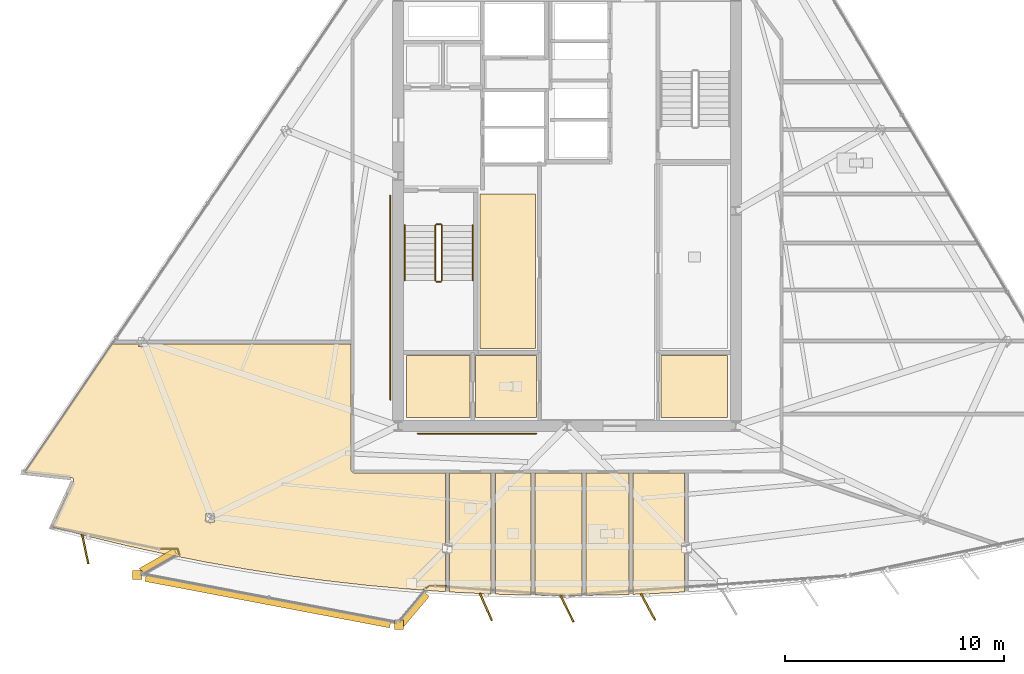
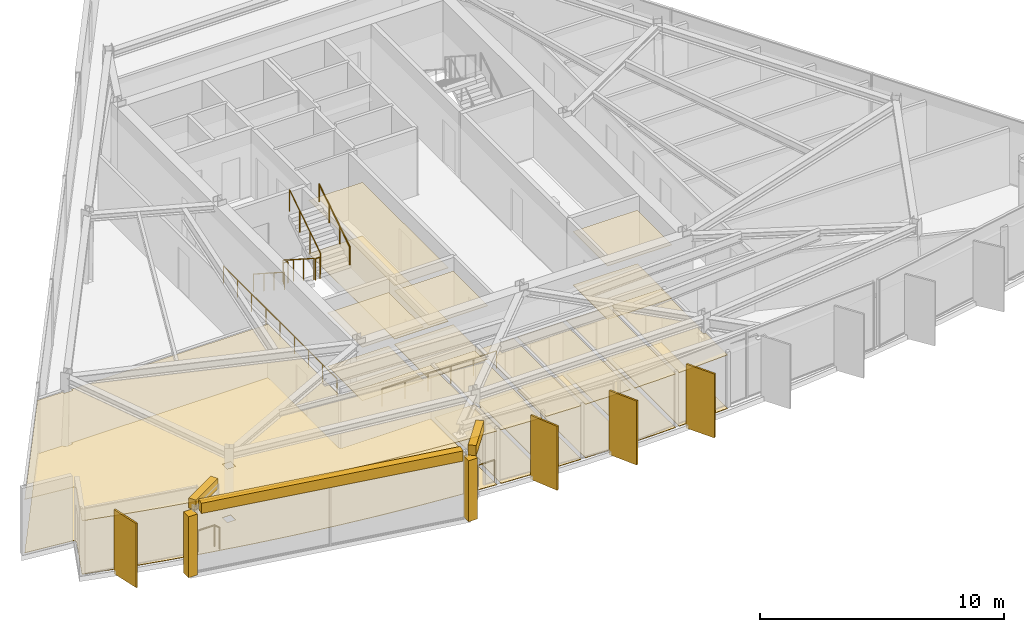
# One storey, part 10 of 14: 25 coverings, 10 railings, 4 shading devices.
"""IFC4 building model written with IfcOpenShell, lengths in metres."""

from ifc_helpers import new_model, si_unit, direction, frame, origin, origin_2d, place, context, subcontext, project, spatial, polyline, rectangle, circle, outline, extrude, material, layer, layer_set, type_object, element, save


model = new_model("IFC4")

# Units and contexts
model_context = context("Model", 3, precision=1e-05, world=origin(), true_north=direction((0.0, 1.0)))
body_context = subcontext(model_context, "Body", "Model", "MODEL_VIEW")
ifc_project = project(units=[si_unit("LENGTHUNIT", "METRE"), si_unit("AREAUNIT", "SQUARE_METRE"), si_unit("VOLUMEUNIT", "CUBIC_METRE"), si_unit("PLANEANGLEUNIT", "RADIAN"), si_unit("MASSUNIT", "GRAM", prefix="KILO")], contexts=[model_context])

# Site, building, storey
site_placement = place(None, origin())
site = spatial("IfcSite", under=ifc_project, at=site_placement, CompositionType="ELEMENT")
building_placement = place(site_placement, origin())
building = spatial("IfcBuilding", under=site, at=building_placement, Name="Savorim Split Tower", CompositionType="ELEMENT")
storey_placement = place(building_placement, frame((0.0, 0.0, 230.699951171875)))
storey = spatial("IfcBuildingStorey", under=building, at=storey_placement, Name="L61", CompositionType="ELEMENT", Elevation=230.699951171875)

# Coverings
ifc_material_1 = material(Name="Mineral Fibre Acoustic Ceiling")
ifc_layer_1 = layer(ifc_material_1, 0.02490234375)
ifc_layer_set_1 = layer_set([ifc_layer_1], Name="COV-CEIL-25")
covering_type_1 = type_object("IfcCoveringType", Name="COV-CEIL-25", PredefinedType="CEILING", material=ifc_layer_set_1)
covering_1_placement = place(storey_placement, frame((0.0, 0.0, 2.670166015625)))
element("IfcCovering", 1, at=covering_1_placement, inside=storey, type_object=covering_type_1, Name="L61 Quiet Study Room Acoustic Ceiling", PredefinedType="CEILING", context=body_context, shape_type="SweptSolid", body=[
    extrude(outline(polyline([(-3.969970703125, 1.169921875), (-3.969970703125, -5.8701171875), (-1.429931640625, -5.8701171875), (-1.429931640625, 1.169921875), (-3.969970703125, 1.169921875)])), origin(), (0.0, 0.0, 1.0), 0.02490234375),
])
covering_2_placement = place(storey_placement, frame((0.0, 0.0, 2.670166015625)))
element("IfcCovering", 2, at=covering_2_placement, inside=storey, type_object=covering_type_1, Name="L61 Housekeeping Store Acoustic Ceiling", PredefinedType="CEILING", context=body_context, shape_type="SweptSolid", body=[
    extrude(outline(polyline([(-7.320068359375, -6.179931640625), (-7.320068359375, -9.02001953125), (-4.429931640625, -9.02001953125), (-4.429931640625, -6.179931640625), (-7.320068359375, -6.179931640625)])), origin(), (0.0, 0.0, 1.0), 0.02490234375),
])
covering_3_placement = place(storey_placement, frame((0.0, 0.0, 2.670166015625)))
element("IfcCovering", 3, at=covering_3_placement, inside=storey, type_object=covering_type_1, Name="L61 Accessible WC Acoustic Ceiling", PredefinedType="CEILING", context=body_context, shape_type="SweptSolid", body=[
    extrude(outline(polyline([(-4.169921875, -6.179931640625), (-4.169921875, -9.02001953125), (-1.3798828125, -9.02001953125), (-1.3798828125, -6.179931640625), (-4.169921875, -6.179931640625)])), origin(), (0.0, 0.0, 1.0), 0.02490234375),
])
covering_4_placement = place(storey_placement, frame((0.0, 0.0, 2.670166015625)))
element("IfcCovering", 4, at=covering_4_placement, inside=storey, type_object=covering_type_1, Name="L61 Core IT Server Room Acoustic Ceiling", PredefinedType="CEILING", context=body_context, shape_type="SweptSolid", body=[
    extrude(outline(polyline([(4.280029296875, -6.179931640625), (4.280029296875, -9.02001953125), (7.320068359375, -9.02001953125), (7.320068359375, -6.179931640625), (4.280029296875, -6.179931640625)])), origin(), (0.0, 0.0, 1.0), 0.02490234375),
])
covering_5_placement = place(storey_placement, frame((0.0, 0.0, 2.670166015625)))
element("IfcCovering", 5, at=covering_5_placement, inside=storey, type_object=covering_type_1, Name="L61 Co-Working Commons Acoustic Ceiling", PredefinedType="CEILING", context=body_context, shape_type="SweptSolid", body=[
    extrude(outline(polyline([(-22.49072265625, -11.86669921875), (-22.490478515625, -11.878662109375), (-22.491455078125, -11.890625), (-22.49365234375, -11.90234375), (-22.496826171875, -11.913818359375), (-22.50146484375, -11.9248046875), (-23.4599609375, -14.01123046875), (-21.8203125, -14.440185546875), (-20.0341796875, -14.868408203125), (-18.23974609375, -15.260009765625), (-16.4375, -15.61474609375), (-14.62841796875, -15.9326171875), (-12.8134765625, -16.21337890625), (-10.992919921875, -16.45703125), (-9.167724609375, -16.663330078125), (-7.3388671875, -16.832275390625), (-5.54541015625, -16.9609375), (-5.54541015625, -15.177734375), (-5.6474609375, -15.177734375), (-5.6474609375, -14.785888671875), (-5.54541015625, -14.785888671875), (-5.54541015625, -11.5400390625), (-9.699951171875, -11.5400390625), (-9.713623046875, -11.539306640625), (-9.727294921875, -11.537353515625), (-9.740478515625, -11.533935546875), (-9.753662109375, -11.529296875), (-9.76611328125, -11.5234375), (-9.77783203125, -11.516357421875), (-9.788818359375, -11.50830078125), (-9.799072265625, -11.4990234375), (-9.80810546875, -11.48876953125), (-9.81640625, -11.477783203125), (-9.823486328125, -11.466064453125), (-9.829345703125, -11.45361328125), (-9.833984375, -11.440673828125), (-9.83740234375, -11.42724609375), (-9.83935546875, -11.413818359375), (-9.840087890625, -11.39990234375), (-9.840087890625, -5.668701171875), (-19.1435546875, -5.668701171875), (-19.1435546875, -5.769775390625), (-19.53759765625, -5.769775390625), (-19.53759765625, -5.668701171875), (-20.6240234375, -5.668701171875), (-20.718994140625, -5.668701171875), (-20.718994140625, -5.62451171875), (-24.72802734375, -11.517578125), (-22.59716796875, -11.755615234375), (-22.585205078125, -11.757568359375), (-22.57373046875, -11.760498046875), (-22.5625, -11.7646484375), (-22.552001953125, -11.77001953125), (-22.541748046875, -11.7763671875), (-22.5322265625, -11.78369140625), (-22.523681640625, -11.7919921875), (-22.515869140625, -11.80078125), (-22.509033203125, -11.810546875), (-22.503173828125, -11.821044921875), (-22.498291015625, -11.831787109375), (-22.49462890625, -11.84326171875), (-22.4921875, -11.85498046875), (-22.49072265625, -11.86669921875)]), holes=[polyline([(-16.4599609375, -13.78955078125), (-16.06591796875, -13.78955078125), (-16.06591796875, -13.397705078125), (-16.4599609375, -13.397705078125), (-16.4599609375, -13.78955078125)])]), origin(), (0.0, 0.0, 1.0), 0.02490234375),
])
covering_6_placement = place(storey_placement, frame((0.0, 0.0, 2.670166015625)))
element("IfcCovering", 6, at=covering_6_placement, inside=storey, type_object=covering_type_1, Name="L61 Shared Kitchen Acoustic Ceiling", PredefinedType="CEILING", context=body_context, shape_type="SweptSolid", body=[
    extrude(outline(polyline([(-5.35546875, -16.91650390625), (-5.35546875, -16.971435546875), (-3.672607421875, -17.0576171875), (-3.458984375, -17.064208984375), (-3.458984375, -11.5400390625), (-5.35546875, -11.5400390625), (-5.35546875, -14.785888671875), (-5.25341796875, -14.785888671875), (-5.25341796875, -15.177734375), (-5.35546875, -15.177734375), (-5.35546875, -16.91650390625)])), origin(), (0.0, 0.0, 1.0), 0.02490234375),
])
covering_7_placement = place(storey_placement, frame((0.0, 0.0, 2.670166015625)))
element("IfcCovering", 7, at=covering_7_placement, inside=storey, type_object=covering_type_1, Name="L61 Shared Kitchen Acoustic Ceiling", PredefinedType="CEILING", context=body_context, shape_type="SweptSolid", body=[
    extrude(outline(polyline([(-3.26904296875, -11.5400390625), (-3.26904296875, -17.070068359375), (-1.836669921875, -17.114013671875), (-1.642822265625, -17.115966796875), (-1.642578125, -11.5400390625), (-3.26904296875, -11.5400390625)])), origin(), (0.0, 0.0, 1.0), 0.02490234375),
])
covering_8_placement = place(storey_placement, frame((0.0, 0.0, 2.670166015625)))
element("IfcCovering", 8, at=covering_8_placement, inside=storey, type_object=covering_type_1, Name="L61 Quiet Study Room Acoustic Ceiling", PredefinedType="CEILING", context=body_context, shape_type="SweptSolid", body=[
    extrude(outline(polyline([(-1.45263671875, -11.5400390625), (-1.452880859375, -17.117919921875), (0.0, -17.1328125), (0.68994140625, -17.125732421875), (0.68994140625, -11.5400390625), (-1.45263671875, -11.5400390625)])), origin(), (0.0, 0.0, 1.0), 0.02490234375),
])
covering_9_placement = place(storey_placement, frame((0.0, 0.0, 2.670166015625)))
element("IfcCovering", 9, at=covering_9_placement, inside=storey, type_object=covering_type_1, Name="L61 Shared Bathroom Acoustic Ceiling", PredefinedType="CEILING", context=body_context, shape_type="SweptSolid", body=[
    extrude(outline(polyline([(0.8798828125, -11.5400390625), (0.8798828125, -17.123779296875), (1.836669921875, -17.114013671875), (2.82763671875, -17.08349609375), (2.827880859375, -11.5400390625), (0.8798828125, -11.5400390625)])), origin(), (0.0, 0.0, 1.0), 0.02490234375),
])
covering_10_placement = place(storey_placement, frame((0.0, 0.0, 2.670166015625)))
element("IfcCovering", 10, at=covering_10_placement, inside=storey, type_object=covering_type_1, Name="L61 Co-Living Bedroom Acoustic Ceiling", PredefinedType="CEILING", context=body_context, shape_type="SweptSolid", body=[
    extrude(outline(polyline([(5.35546875, -11.5400390625), (3.017822265625, -11.5400390625), (3.017578125, -17.07763671875), (3.672607421875, -17.0576171875), (5.35546875, -16.971435546875), (5.35546875, -15.177734375), (5.25341796875, -15.177734375), (5.25341796875, -14.785888671875), (5.35546875, -14.785888671875), (5.35546875, -11.5400390625)])), origin(), (0.0, 0.0, 1.0), 0.02490234375),
])
ifc_material_2 = material(Name="Porcelain Stoneware Flooring", Category="masonry")
ifc_layer_2 = layer(ifc_material_2, 0.02001953125)
ifc_layer_set_2 = layer_set([ifc_layer_2], Name="COV-FLOR-20")
covering_type_2 = type_object("IfcCoveringType", Name="COV-FLOR-20", PredefinedType="FLOORING", material=ifc_layer_set_2)
covering_11_placement = place(storey_placement, origin())
element("IfcCovering", 11, at=covering_11_placement, inside=storey, type_object=covering_type_2, Name="L61 Quiet Study Room Porcelain Flooring", PredefinedType="FLOORING", context=body_context, shape_type="SweptSolid", body=[
    extrude(outline(polyline([(-3.969970703125, 1.169921875), (-3.969970703125, -5.8701171875), (-1.429931640625, -5.8701171875), (-1.429931640625, 1.169921875), (-3.969970703125, 1.169921875)])), origin(), (0.0, 0.0, 1.0), 0.02001953125),
])
covering_12_placement = place(storey_placement, origin())
element("IfcCovering", 12, at=covering_12_placement, inside=storey, type_object=covering_type_2, Name="L61 Housekeeping Store Porcelain Flooring", PredefinedType="FLOORING", context=body_context, shape_type="SweptSolid", body=[
    extrude(outline(polyline([(-7.320068359375, -6.179931640625), (-7.320068359375, -9.02001953125), (-4.429931640625, -9.02001953125), (-4.429931640625, -6.179931640625), (-7.320068359375, -6.179931640625)])), origin(), (0.0, 0.0, 1.0), 0.02001953125),
])
covering_13_placement = place(storey_placement, origin())
element("IfcCovering", 13, at=covering_13_placement, inside=storey, type_object=covering_type_2, Name="L61 Accessible WC Porcelain Flooring", PredefinedType="FLOORING", context=body_context, shape_type="SweptSolid", body=[
    extrude(outline(polyline([(-4.169921875, -6.179931640625), (-4.169921875, -9.02001953125), (-1.3798828125, -9.02001953125), (-1.3798828125, -6.179931640625), (-4.169921875, -6.179931640625)])), origin(), (0.0, 0.0, 1.0), 0.02001953125),
])
covering_14_placement = place(storey_placement, origin())
element("IfcCovering", 14, at=covering_14_placement, inside=storey, type_object=covering_type_2, Name="L61 Core IT Server Room Porcelain Flooring", PredefinedType="FLOORING", context=body_context, shape_type="SweptSolid", body=[
    extrude(outline(polyline([(4.280029296875, -6.179931640625), (4.280029296875, -9.02001953125), (7.320068359375, -9.02001953125), (7.320068359375, -6.179931640625), (4.280029296875, -6.179931640625)])), origin(), (0.0, 0.0, 1.0), 0.02001953125),
])
covering_15_placement = place(storey_placement, origin())
element("IfcCovering", 15, at=covering_15_placement, inside=storey, type_object=covering_type_2, Name="L61 Co-Working Commons Porcelain Flooring", PredefinedType="FLOORING", context=body_context, shape_type="SweptSolid", body=[
    extrude(outline(polyline([(-22.49072265625, -11.86669921875), (-22.490478515625, -11.878662109375), (-22.491455078125, -11.890625), (-22.49365234375, -11.90234375), (-22.496826171875, -11.913818359375), (-22.50146484375, -11.9248046875), (-23.4599609375, -14.01123046875), (-21.8203125, -14.440185546875), (-20.0341796875, -14.868408203125), (-18.23974609375, -15.260009765625), (-16.4375, -15.61474609375), (-14.62841796875, -15.9326171875), (-12.8134765625, -16.21337890625), (-10.992919921875, -16.45703125), (-9.167724609375, -16.663330078125), (-7.3388671875, -16.832275390625), (-5.54541015625, -16.9609375), (-5.54541015625, -15.177734375), (-5.6474609375, -15.177734375), (-5.6474609375, -14.785888671875), (-5.54541015625, -14.785888671875), (-5.54541015625, -11.5400390625), (-9.699951171875, -11.5400390625), (-9.713623046875, -11.539306640625), (-9.727294921875, -11.537353515625), (-9.740478515625, -11.533935546875), (-9.753662109375, -11.529296875), (-9.76611328125, -11.5234375), (-9.77783203125, -11.516357421875), (-9.788818359375, -11.50830078125), (-9.799072265625, -11.4990234375), (-9.80810546875, -11.48876953125), (-9.81640625, -11.477783203125), (-9.823486328125, -11.466064453125), (-9.829345703125, -11.45361328125), (-9.833984375, -11.440673828125), (-9.83740234375, -11.42724609375), (-9.83935546875, -11.413818359375), (-9.840087890625, -11.39990234375), (-9.840087890625, -5.668701171875), (-19.1435546875, -5.668701171875), (-19.1435546875, -5.769775390625), (-19.53759765625, -5.769775390625), (-19.53759765625, -5.668701171875), (-20.6240234375, -5.668701171875), (-20.718994140625, -5.668701171875), (-20.718994140625, -5.62451171875), (-24.72802734375, -11.517578125), (-22.59716796875, -11.755615234375), (-22.585205078125, -11.757568359375), (-22.57373046875, -11.760498046875), (-22.5625, -11.7646484375), (-22.552001953125, -11.77001953125), (-22.541748046875, -11.7763671875), (-22.5322265625, -11.78369140625), (-22.523681640625, -11.7919921875), (-22.515869140625, -11.80078125), (-22.509033203125, -11.810546875), (-22.503173828125, -11.821044921875), (-22.498291015625, -11.831787109375), (-22.49462890625, -11.84326171875), (-22.4921875, -11.85498046875), (-22.49072265625, -11.86669921875)]), holes=[polyline([(-16.4599609375, -13.78955078125), (-16.06591796875, -13.78955078125), (-16.06591796875, -13.397705078125), (-16.4599609375, -13.397705078125), (-16.4599609375, -13.78955078125)])]), origin(), (0.0, 0.0, 1.0), 0.02001953125),
])
covering_16_placement = place(storey_placement, origin())
element("IfcCovering", 16, at=covering_16_placement, inside=storey, type_object=covering_type_2, Name="L61 Shared Kitchen Porcelain Flooring", PredefinedType="FLOORING", context=body_context, shape_type="SweptSolid", body=[
    extrude(outline(polyline([(-5.35546875, -16.91650390625), (-5.35546875, -16.971435546875), (-3.672607421875, -17.0576171875), (-3.458984375, -17.064208984375), (-3.458984375, -11.5400390625), (-5.35546875, -11.5400390625), (-5.35546875, -14.785888671875), (-5.25341796875, -14.785888671875), (-5.25341796875, -15.177734375), (-5.35546875, -15.177734375), (-5.35546875, -16.91650390625)])), origin(), (0.0, 0.0, 1.0), 0.02001953125),
])
covering_17_placement = place(storey_placement, origin())
element("IfcCovering", 17, at=covering_17_placement, inside=storey, type_object=covering_type_2, Name="L61 Shared Kitchen Porcelain Flooring", PredefinedType="FLOORING", context=body_context, shape_type="SweptSolid", body=[
    extrude(outline(polyline([(-3.26904296875, -11.5400390625), (-3.26904296875, -17.070068359375), (-1.836669921875, -17.114013671875), (-1.642822265625, -17.115966796875), (-1.642578125, -11.5400390625), (-3.26904296875, -11.5400390625)])), origin(), (0.0, 0.0, 1.0), 0.02001953125),
])
covering_18_placement = place(storey_placement, origin())
element("IfcCovering", 18, at=covering_18_placement, inside=storey, type_object=covering_type_2, Name="L61 Quiet Study Room Porcelain Flooring", PredefinedType="FLOORING", context=body_context, shape_type="SweptSolid", body=[
    extrude(outline(polyline([(-1.45263671875, -11.5400390625), (-1.452880859375, -17.117919921875), (0.0, -17.1328125), (0.68994140625, -17.125732421875), (0.68994140625, -11.5400390625), (-1.45263671875, -11.5400390625)])), origin(), (0.0, 0.0, 1.0), 0.02001953125),
])
covering_19_placement = place(storey_placement, origin())
element("IfcCovering", 19, at=covering_19_placement, inside=storey, type_object=covering_type_2, Name="L61 Shared Bathroom Porcelain Flooring", PredefinedType="FLOORING", context=body_context, shape_type="SweptSolid", body=[
    extrude(outline(polyline([(0.8798828125, -11.5400390625), (0.8798828125, -17.123779296875), (1.836669921875, -17.114013671875), (2.82763671875, -17.08349609375), (2.827880859375, -11.5400390625), (0.8798828125, -11.5400390625)])), origin(), (0.0, 0.0, 1.0), 0.02001953125),
])
covering_20_placement = place(storey_placement, origin())
element("IfcCovering", 20, at=covering_20_placement, inside=storey, type_object=covering_type_2, Name="L61 Co-Living Bedroom Porcelain Flooring", PredefinedType="FLOORING", context=body_context, shape_type="SweptSolid", body=[
    extrude(outline(polyline([(5.35546875, -11.5400390625), (3.017822265625, -11.5400390625), (3.017578125, -17.07763671875), (3.672607421875, -17.0576171875), (5.35546875, -16.971435546875), (5.35546875, -15.177734375), (5.25341796875, -15.177734375), (5.25341796875, -14.785888671875), (5.35546875, -14.785888671875), (5.35546875, -11.5400390625)])), origin(), (0.0, 0.0, 1.0), 0.02001953125),
])
ifc_material_3 = material(Name="White Porcelain Architectural Cladding")
ifc_layer_3 = layer(ifc_material_3, 0.139892578125)
ifc_layer_set_3 = layer_set([ifc_layer_3], Name="COV-FRM-WHITE")
covering_type_3 = type_object("IfcCoveringType", Name="COV-FRM-WHITE", PredefinedType="CLADDING", material=ifc_layer_set_3)
covering_21_placement = place(storey_placement, frame((0.0, 0.0, 3.080078125)))
element("IfcCovering", 21, at=covering_21_placement, inside=storey, type_object=covering_type_3, Name="L61 Cantilevered Lounge White Upper Cornice Band W", PredefinedType="CLADDING", context=body_context, shape_type="SweptSolid", body=[
    extrude(outline(polyline([(-17.9326171875, -14.99658203125), (-19.4951171875, -15.89013671875), (-19.326416015625, -16.185302734375), (-17.763671875, -15.2919921875), (-17.9326171875, -14.99658203125)])), origin(), (0.0, 0.0, 1.0), 0.510009765625),
])
covering_22_placement = place(storey_placement, frame((0.0, 0.0, 3.080078125)))
element("IfcCovering", 22, at=covering_22_placement, inside=storey, type_object=covering_type_3, Name="L61 Cantilevered Lounge White Upper Cornice Band F", PredefinedType="CLADDING", context=body_context, shape_type="SweptSolid", body=[
    extrude(outline(polyline([(-19.2421875, -16.490966796875), (-8.088134765625, -18.609130859375), (-8.024658203125, -18.275146484375), (-19.178955078125, -16.156982421875), (-19.2421875, -16.490966796875)])), origin(), (0.0, 0.0, 1.0), 0.510009765625),
])
covering_23_placement = place(storey_placement, frame((0.0, 0.0, 3.080078125)))
element("IfcCovering", 23, at=covering_23_placement, inside=storey, type_object=covering_type_3, Name="L61 Cantilevered Lounge White Upper Cornice Band E", PredefinedType="CLADDING", context=body_context, shape_type="SweptSolid", body=[
    extrude(outline(polyline([(-7.434326171875, -18.54833984375), (-6.273193359375, -17.1728515625), (-6.533203125, -16.95361328125), (-7.694091796875, -18.3291015625), (-7.434326171875, -18.54833984375)])), origin(), (0.0, 0.0, 1.0), 0.510009765625),
])
covering_24_placement = place(storey_placement, frame((0.0, 0.0, 0.010009765625)))
element("IfcCovering", 24, at=covering_24_placement, inside=storey, type_object=covering_type_3, Name="L61 Cantilevered Lounge White Frame Corner Post 1", PredefinedType="CLADDING", context=body_context, shape_type="SweptSolid", body=[
    extrude(outline(polyline([(-19.80419921875, -16.41015625), (-19.38427734375, -16.41015625), (-19.38427734375, -15.990234375), (-19.80419921875, -15.990234375), (-19.80419921875, -16.41015625)])), origin(), (0.0, 0.0, 1.0), 3.050048828125),
])
covering_25_placement = place(storey_placement, frame((0.0, 0.0, 0.010009765625)))
element("IfcCovering", 25, at=covering_25_placement, inside=storey, type_object=covering_type_3, Name="L61 Cantilevered Lounge White Frame Corner Post 2", PredefinedType="CLADDING", context=body_context, shape_type="SweptSolid", body=[
    extrude(outline(polyline([(-7.864013671875, -18.677490234375), (-7.444091796875, -18.677490234375), (-7.444091796875, -18.257568359375), (-7.864013671875, -18.257568359375), (-7.864013671875, -18.677490234375)])), origin(), (0.0, 0.0, 1.0), 3.050048828125),
])

# Railings
ifc_material_4 = material(Name="Galvanised Painted Steel Balustrade", Category="steel")
railing_type_1 = type_object("IfcRailingType", Name="RLG-BAL-1100", PredefinedType="BALUSTRADE", material=ifc_material_4)
railing_1_placement = place(storey_placement, frame((-18.53369140625, -14.998046875, 0.0)))
element("IfcRailing", 26, at=railing_1_placement, inside=storey, type_object=railing_type_1, Name="L61 Cantilevered Lounge West Edge Closure Guard", PredefinedType="BALUSTRADE", context=body_context, shape_type="SweptSolid", body=[
    extrude(circle(Radius=0.02392578125, at=origin_2d()), frame((0.0, 0.0, 1.076171875), z_axis=(1.0, 0.0, 0.0), x_axis=(0.0, 1.0, 0.0)), (0.0, 0.0, 1.0), 0.77978515625),
    extrude(circle(Radius=0.02392578125, at=origin_2d()), frame((0.77978515625, 0.0, 1.076171875), z_axis=(0.279087790974, -0.960265590829, 0.0), x_axis=(0.960265590829, 0.279087790974, 0.0)), (0.0, 0.0, 1.0), 0.287841796875),
    extrude(circle(Radius=0.02099609375, at=origin_2d()), origin(), (0.0, 0.0, 1.0), 1.052001953125),
    extrude(circle(Radius=0.02099609375, at=origin_2d()), frame((0.77978515625, 0.0, 0.0)), (0.0, 0.0, 1.0), 1.052001953125),
    extrude(circle(Radius=0.02099609375, at=origin_2d()), frame((0.860107421875, -0.2763671875, 0.0)), (0.0, 0.0, 1.0), 1.052001953125),
])
railing_2_placement = place(storey_placement, frame((-6.5146484375, -16.843994140625, 0.0)))
element("IfcRailing", 27, at=railing_2_placement, inside=storey, type_object=railing_type_1, Name="L61 Cantilevered Lounge East Edge Closure Guard", PredefinedType="BALUSTRADE", context=body_context, shape_type="SweptSolid", body=[
    extrude(circle(Radius=0.02392578125, at=origin_2d()), frame((0.0, 0.0, 1.076171875), z_axis=(0.841354039669, 0.540484393792, 0.0), x_axis=(-0.540484393792, 0.841354039669, 0.0)), (0.0, 0.0, 1.0), 0.27099609375),
    extrude(circle(Radius=0.02392578125, at=origin_2d()), frame((0.22802734375, 0.146484375, 1.076171875), z_axis=(1.0, 0.0, 0.0), x_axis=(0.0, 1.0, 0.0)), (0.0, 0.0, 1.0), 0.780029296875),
    extrude(circle(Radius=0.02099609375, at=origin_2d()), origin(), (0.0, 0.0, 1.0), 1.052001953125),
    extrude(circle(Radius=0.02099609375, at=origin_2d()), frame((0.22802734375, 0.146484375, 0.0)), (0.0, 0.0, 1.0), 1.052001953125),
    extrude(circle(Radius=0.02099609375, at=origin_2d()), frame((1.008056640625, 0.146484375, 0.0)), (0.0, 0.0, 1.0), 1.052001953125),
])
railing_type_2 = type_object("IfcRailingType", Name="RLG-HR-900", PredefinedType="HANDRAIL", material=ifc_material_4)
railing_3_placement = place(storey_placement, frame((-7.39990234375, -0.25, 0.179931640625)))
element("IfcRailing", 28, at=railing_3_placement, inside=storey, type_object=railing_type_2, Name="L61 ST-1 stair handrail 1", PredefinedType="HANDRAIL", context=body_context, shape_type="SweptSolid", body=[
    extrude(circle(Radius=0.02392578125, at=origin_2d()), frame((0.0, 0.0, 0.8759765625), z_axis=(0.0, -0.841162588446, 0.540782303519), x_axis=(1.0, 0.0, 0.0)), (0.0, 0.0, 1.0), 2.995849609375),
    extrude(circle(Radius=0.02099609375, at=origin_2d()), origin(), (0.0, 0.0, 1.0), 0.851806640625),
    extrude(circle(Radius=0.02099609375, at=origin_2d()), frame((0.0, -0.840087890625, 0.5400390625)), (0.0, 0.0, 1.0), 0.851806640625),
    extrude(circle(Radius=0.02099609375, at=origin_2d()), frame((0.0, -1.679931640625, 1.080078125)), (0.0, 0.0, 1.0), 0.851806640625),
    extrude(circle(Radius=0.02099609375, at=origin_2d()), frame((0.0, -2.52001953125, 1.6201171875)), (0.0, 0.0, 1.0), 0.851806640625),
])
railing_4_placement = place(storey_placement, frame((-4.300048828125, -2.77001953125, 1.97998046875)))
element("IfcRailing", 29, at=railing_4_placement, inside=storey, type_object=railing_type_2, Name="L61 ST-1 stair handrail 2", PredefinedType="HANDRAIL", context=body_context, shape_type="SweptSolid", body=[
    extrude(circle(Radius=0.02392578125, at=origin_2d()), frame((0.0, 0.0, 0.8759765625), z_axis=(0.0, 0.841162588446, 0.540782303519), x_axis=(-1.0, 0.0, 0.0)), (0.0, 0.0, 1.0), 2.995849609375),
    extrude(circle(Radius=0.02099609375, at=origin_2d()), origin(), (0.0, 0.0, 1.0), 0.851806640625),
    extrude(circle(Radius=0.02099609375, at=origin_2d()), frame((0.0, 0.840087890625, 0.5400390625)), (0.0, 0.0, 1.0), 0.851806640625),
    extrude(circle(Radius=0.02099609375, at=origin_2d()), frame((0.0, 1.679931640625, 1.080078125)), (0.0, 0.0, 1.0), 0.851806640625),
    extrude(circle(Radius=0.02099609375, at=origin_2d()), frame((0.0, 2.52001953125, 1.6201171875)), (0.0, 0.0, 1.0), 0.851806640625),
])
railing_5_placement = place(storey_placement, frame((-6.800048828125, -9.75, 0.0)))
element("IfcRailing", 30, at=railing_5_placement, inside=storey, type_object=railing_type_2, Name="L61 Corridor South Accessible Handrail", PredefinedType="HANDRAIL", context=body_context, shape_type="SweptSolid", body=[
    extrude(circle(Radius=0.02392578125, at=origin_2d()), frame((0.0, 0.0, 0.8759765625), z_axis=(1.0, 0.0, 0.0), x_axis=(0.0, 1.0, 0.0)), (0.0, 0.0, 1.0), 5.400146484375),
    extrude(circle(Radius=0.02099609375, at=origin_2d()), origin(), (0.0, 0.0, 1.0), 0.851806640625),
    extrude(circle(Radius=0.02099609375, at=origin_2d()), frame((1.080078125, 0.0, 0.0)), (0.0, 0.0, 1.0), 0.851806640625),
    extrude(circle(Radius=0.02099609375, at=origin_2d()), frame((2.16015625, 0.0, 0.0)), (0.0, 0.0, 1.0), 0.851806640625),
    extrude(circle(Radius=0.02099609375, at=origin_2d()), frame((3.239990234375, 0.0, 0.0)), (0.0, 0.0, 1.0), 0.851806640625),
    extrude(circle(Radius=0.02099609375, at=origin_2d()), frame((4.320068359375, 0.0, 0.0)), (0.0, 0.0, 1.0), 0.851806640625),
    extrude(circle(Radius=0.02099609375, at=origin_2d()), frame((5.400146484375, 0.0, 0.0)), (0.0, 0.0, 1.0), 0.851806640625),
])
railing_6_placement = place(storey_placement, frame((-8.050048828125, -8.199951171875, 0.0)))
element("IfcRailing", 31, at=railing_6_placement, inside=storey, type_object=railing_type_2, Name="L61 Corridor West Accessible Handrail", PredefinedType="HANDRAIL", context=body_context, shape_type="SweptSolid", body=[
    extrude(circle(Radius=0.02392578125, at=origin_2d()), frame((0.0, 0.0, 0.8759765625), z_axis=(0.0, 1.0, 0.0), x_axis=(-1.0, 0.0, 0.0)), (0.0, 0.0, 1.0), 9.300048828125),
    extrude(circle(Radius=0.02099609375, at=origin_2d()), origin(), (0.0, 0.0, 1.0), 0.851806640625),
    extrude(circle(Radius=0.02099609375, at=origin_2d()), frame((0.0, 1.16259765625, 0.0)), (0.0, 0.0, 1.0), 0.851806640625),
    extrude(circle(Radius=0.02099609375, at=origin_2d()), frame((0.0, 2.324951171875, 0.0)), (0.0, 0.0, 1.0), 0.851806640625),
    extrude(circle(Radius=0.02099609375, at=origin_2d()), frame((0.0, 3.487548828125, 0.0)), (0.0, 0.0, 1.0), 0.851806640625),
    extrude(circle(Radius=0.02099609375, at=origin_2d()), frame((0.0, 4.64990234375, 0.0)), (0.0, 0.0, 1.0), 0.851806640625),
    extrude(circle(Radius=0.02099609375, at=origin_2d()), frame((0.0, 5.8125, 0.0)), (0.0, 0.0, 1.0), 0.851806640625),
    extrude(circle(Radius=0.02099609375, at=origin_2d()), frame((0.0, 6.97509765625, 0.0)), (0.0, 0.0, 1.0), 0.851806640625),
    extrude(circle(Radius=0.02099609375, at=origin_2d()), frame((0.0, 8.137451171875, 0.0)), (0.0, 0.0, 1.0), 0.851806640625),
    extrude(circle(Radius=0.02099609375, at=origin_2d()), frame((0.0, 9.300048828125, 0.0)), (0.0, 0.0, 1.0), 0.851806640625),
])
railing_type_3 = type_object("IfcRailingType", Name="RLG-STG-1100", PredefinedType="BALUSTRADE", material=ifc_material_4)
railing_7_placement = place(storey_placement, frame((-6.0, -0.25, 0.179931640625)))
element("IfcRailing", 32, at=railing_7_placement, inside=storey, type_object=railing_type_3, Name="L61 ST-1 stair guard 1", PredefinedType="BALUSTRADE", context=body_context, shape_type="SweptSolid", body=[
    extrude(circle(Radius=0.02392578125, at=origin_2d()), frame((0.0, 0.0, 1.076171875), z_axis=(0.0, -0.841162588446, 0.540782303519), x_axis=(1.0, 0.0, 0.0)), (0.0, 0.0, 1.0), 2.995849609375),
    extrude(circle(Radius=0.02099609375, at=origin_2d()), origin(), (0.0, 0.0, 1.0), 1.052001953125),
    extrude(circle(Radius=0.02099609375, at=origin_2d()), frame((0.0, -0.840087890625, 0.5400390625)), (0.0, 0.0, 1.0), 1.052001953125),
    extrude(circle(Radius=0.02099609375, at=origin_2d()), frame((0.0, -1.679931640625, 1.080078125)), (0.0, 0.0, 1.0), 1.052001953125),
    extrude(circle(Radius=0.02099609375, at=origin_2d()), frame((0.0, -2.52001953125, 1.6201171875)), (0.0, 0.0, 1.0), 1.052001953125),
])
railing_8_placement = place(storey_placement, frame((-5.949951171875, -2.820068359375, 1.800048828125)))
element("IfcRailing", 33, at=railing_8_placement, inside=storey, type_object=railing_type_3, Name="L61 ST-1 stair guard 2", PredefinedType="BALUSTRADE", context=body_context, shape_type="SweptSolid", body=[
    extrude(circle(Radius=0.02392578125, at=origin_2d()), frame((0.0, 0.0, 1.076171875), z_axis=(1.0, 0.0, 0.0), x_axis=(0.0, 1.0, 0.0)), (0.0, 0.0, 1.0), 0.199951171875),
    extrude(circle(Radius=0.02099609375, at=origin_2d()), origin(), (0.0, 0.0, 1.0), 1.052001953125),
    extrude(circle(Radius=0.02099609375, at=origin_2d()), frame((0.199951171875, 0.0, 0.0)), (0.0, 0.0, 1.0), 1.052001953125),
])
railing_9_placement = place(storey_placement, frame((-5.699951171875, -2.77001953125, 1.97998046875)))
element("IfcRailing", 34, at=railing_9_placement, inside=storey, type_object=railing_type_3, Name="L61 ST-1 stair guard 3", PredefinedType="BALUSTRADE", context=body_context, shape_type="SweptSolid", body=[
    extrude(circle(Radius=0.02392578125, at=origin_2d()), frame((0.0, 0.0, 1.076171875), z_axis=(0.0, 0.841162588446, 0.540782303519), x_axis=(-1.0, 0.0, 0.0)), (0.0, 0.0, 1.0), 2.995849609375),
    extrude(circle(Radius=0.02099609375, at=origin_2d()), origin(), (0.0, 0.0, 1.0), 1.052001953125),
    extrude(circle(Radius=0.02099609375, at=origin_2d()), frame((0.0, 0.840087890625, 0.5400390625)), (0.0, 0.0, 1.0), 1.052001953125),
    extrude(circle(Radius=0.02099609375, at=origin_2d()), frame((0.0, 1.679931640625, 1.080078125)), (0.0, 0.0, 1.0), 1.052001953125),
    extrude(circle(Radius=0.02099609375, at=origin_2d()), frame((0.0, 2.52001953125, 1.6201171875)), (0.0, 0.0, 1.0), 1.052001953125),
])
railing_10_placement = place(storey_placement, frame((-5.949951171875, -0.199951171875, 0.0)))
element("IfcRailing", 35, at=railing_10_placement, inside=storey, type_object=railing_type_3, Name="L61 ST-1 stair guard 4", PredefinedType="BALUSTRADE", context=body_context, shape_type="SweptSolid", body=[
    extrude(circle(Radius=0.02392578125, at=origin_2d()), frame((0.0, 0.0, 1.076171875), z_axis=(1.0, 0.0, 0.0), x_axis=(0.0, 1.0, 0.0)), (0.0, 0.0, 1.0), 0.199951171875),
    extrude(circle(Radius=0.02099609375, at=origin_2d()), origin(), (0.0, 0.0, 1.0), 1.052001953125),
    extrude(circle(Radius=0.02099609375, at=origin_2d()), frame((0.199951171875, 0.0, 0.0)), (0.0, 0.0, 1.0), 1.052001953125),
])

# Shading devices
ifc_material_5 = material(Name="Terracotta Ceramic-Coated Aluminium Fin", Category="masonry")
shading_device_type = type_object("IfcShadingDeviceType", Name="SHD-FIN-1360", PredefinedType="USERDEFINED", material=ifc_material_5)
for number, where, z_axis, x_axis, name in (
    (36, (-21.965087890625, -15.018310546875, -0.19970703125), (0.0, 0.0, 1.0), (0.206721626106, -0.978399800337, 0.0), "L61 Sawtooth Shading Fin 01"),
    (37, (-3.697021484375, -17.653076171875, -0.19970703125), (0.0, 0.0, 1.0), (0.401230091723, -0.915977299662, 0.0), "L61 Sawtooth Shading Fin 06"),
    (38, (0.0, -17.728759765625, -0.19970703125), (0.0, 0.0, 1.0), (0.438371146789, -0.898794046299, 0.0), "L61 Sawtooth Shading Fin 07"),
    (39, (3.697021484375, -17.653076171875, -0.19970703125), (0.0, 0.0, 1.0), (0.474778051978, -0.880105562623, 0.0), "L61 Sawtooth Shading Fin 08"),
):
    element("IfcShadingDevice", number, at=place(storey_placement, frame(where, z_axis=z_axis, x_axis=x_axis)), inside=storey, type_object=shading_device_type, Name=name, ObjectType="FIN", PredefinedType="USERDEFINED", context=body_context, shape_type="SweptSolid", body=[
        extrude(rectangle(XDim=1.360107421875, YDim=0.080078125, at=origin_2d()), origin(), (0.0, 0.0, 1.0), 3.199951171875),
    ])

save(model, "model.ifc")
